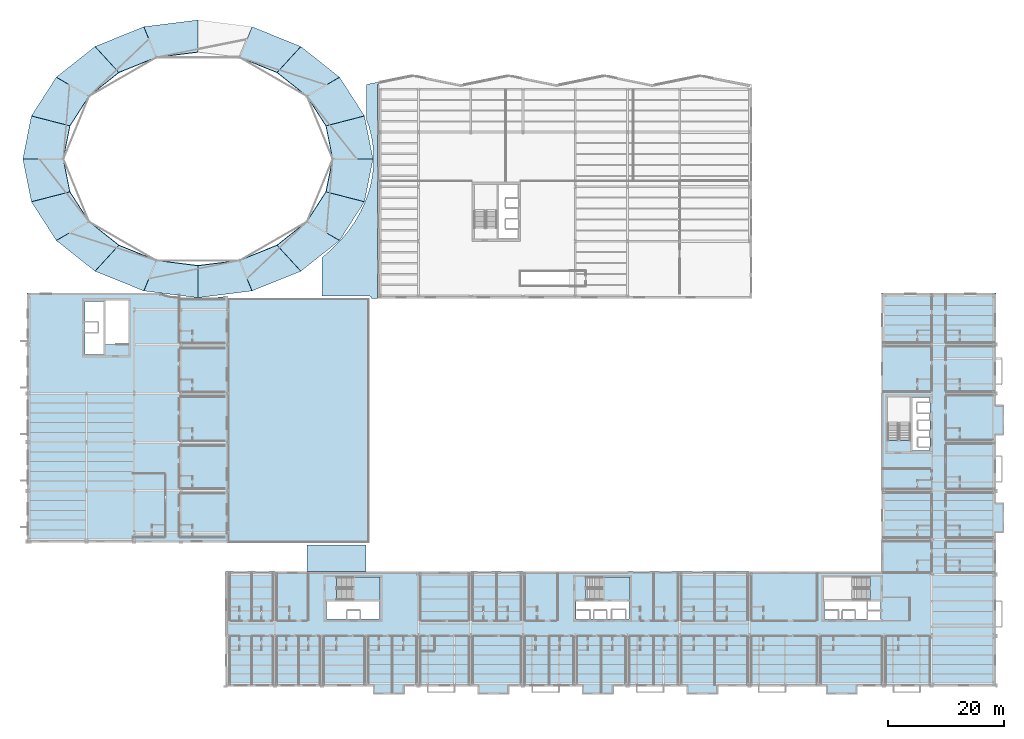
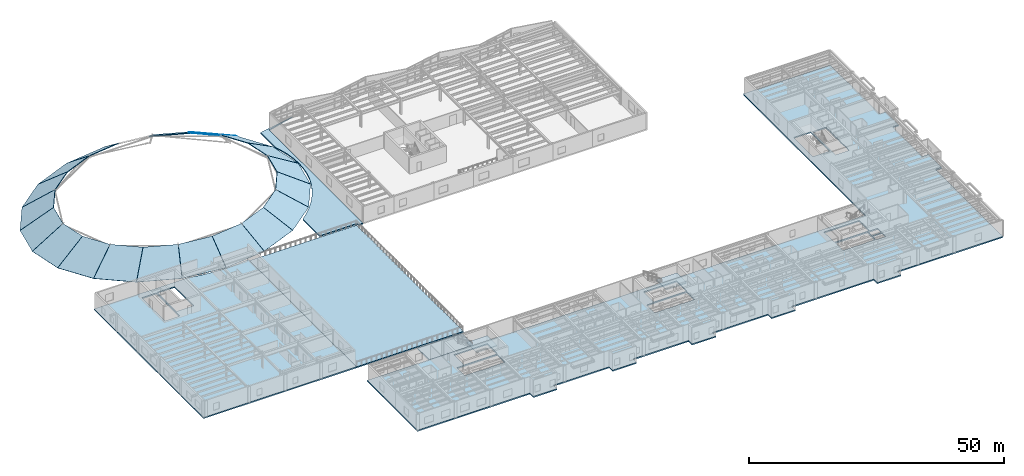
# One storey, part 26 of 59: 26 slabs, 2 elements without a shape of their own.
"""IFC4 building model written with IfcOpenShell, lengths in metres."""

from ifc_helpers import new_model, si_unit, direction, frame, origin, place, context, subcontext, project, spatial, polyline, outline, extrude, material, layer, layer_set, type_object, element, aggregate, save


model = new_model("IFC4")

# Units and contexts
model_context = context("Model", 3, precision=1e-05, world=origin(), true_north=direction((0.0, 1.0)))
body_context = subcontext(model_context, "Body", "Model", "MODEL_VIEW")
ifc_project = project(units=[si_unit("LENGTHUNIT", "METRE"), si_unit("AREAUNIT", "SQUARE_METRE"), si_unit("VOLUMEUNIT", "CUBIC_METRE"), si_unit("PLANEANGLEUNIT", "RADIAN"), si_unit("MASSUNIT", "GRAM", prefix="KILO")], contexts=[model_context])

# Site, building, storey
site_placement = place(None, origin())
site = spatial("IfcSite", under=ifc_project, at=site_placement, CompositionType="ELEMENT")
building_placement = place(site_placement, origin())
building = spatial("IfcBuilding", under=site, at=building_placement, Name="Sollismere Congress Hotel", CompositionType="ELEMENT")
storey_placement = place(building_placement, frame((0.0, 0.0, 15.60009765625)))
storey = spatial("IfcBuildingStorey", under=building, at=storey_placement, Name="L03", CompositionType="ELEMENT", Elevation=15.60009765625)

# Slabs
ifc_material_1 = material(Name="Standing-Seam Zinc on Precast Concrete C40/50", Category="concrete")
ifc_layer_1 = layer(ifc_material_1, 0.139892578125, Name="Standing-Seam Zinc on Precast Concrete C40/50")
ifc_layer_set_1 = layer_set([ifc_layer_1], Name="Standing-Seam Zinc on Precast Concrete C40/50")
slab_type_1 = type_object("IfcSlabType", Name="SL-DOME140", PredefinedType="ROOF", material=ifc_layer_set_1)
slab_1_placement = place(storey_placement, frame((59.08740234375, 90.395263671875, -0.11865234375), z_axis=(0.51833282267, 0.103513283383, 0.848891091428), x_axis=(-0.195840222577, 0.980635817833, 1.863671e-06)))
element("IfcSlab", 1, at=slab_1_placement, inside=storey, type_object=slab_type_1, Name="Congress shell dome standing-seam panel SL-DM-101", PredefinedType="ROOF", context=body_context, shape_type="SweptSolid", body=[
    extrude(outline(polyline([(0.0, 0.0), (7.518310546875, 0.0), (7.144287109375, 8.04052734375), (1.36083984375, 8.04052734375), (0.0, 0.0)])), origin(), (0.0, 0.0, 1.0), 0.139892578125),
])
slab_2_placement = place(storey_placement, frame((57.61572265625, 97.75927734375, -0.116943359375), z_axis=(0.460839887475, 0.296065725219, 0.836643104593), x_axis=(-0.54051626881, 0.841333562357, 1.703482e-06)))
element("IfcSlab", 2, at=slab_2_placement, inside=storey, type_object=slab_type_1, Name="Congress shell dome standing-seam panel SL-DM-102", PredefinedType="ROOF", context=body_context, shape_type="SweptSolid", body=[
    extrude(outline(polyline([(0.0, 0.0), (7.90576171875, 0.0), (8.2216796875, 7.759033203125), (2.140625, 7.759033203125), (0.0, 0.0)])), origin(), (0.0, 0.0, 1.0), 0.139892578125),
])
slab_3_placement = place(storey_placement, frame((53.3427734375, 104.404541015625, -0.114501953125), z_axis=(0.357528310259, 0.450798596991, 0.817896162305), x_axis=(-0.783496193859, 0.621396583671, -3.225115e-06)))
element("IfcSlab", 3, at=slab_3_placement, inside=storey, type_object=slab_type_1, Name="Congress shell dome standing-seam panel SL-DM-103", PredefinedType="ROOF", context=body_context, shape_type="SweptSolid", body=[
    extrude(outline(polyline([(0.0, 0.0), (8.49462890625, 0.0), (8.927490234375, 7.38671875), (2.39306640625, 7.386474609375), (0.0, 0.0)])), origin(), (0.0, 0.0, 1.0), 0.139892578125),
])
slab_4_placement = place(storey_placement, frame((46.686279296875, 109.679443359375, -0.112060546875), z_axis=(0.224626534858, 0.555863554275, 0.800349066887), x_axis=(-0.92715867259, 0.374668914965, -4.43384e-07)))
element("IfcSlab", 4, at=slab_4_placement, inside=storey, type_object=slab_type_1, Name="Congress shell dome standing-seam panel SL-DM-104", PredefinedType="ROOF", context=body_context, shape_type="SweptSolid", body=[
    extrude(outline(polyline([(0.0, 0.0), (9.045166015625, 0.0), (9.0751953125, 7.0888671875), (2.1171875, 7.0888671875), (0.0, 0.0)])), origin(), (0.0, 0.0, 1.0), 0.139892578125),
])
slab_5_placement = place(storey_placement, frame((28.998779296875, 114.23486328125, -0.110595703125), z_axis=(-0.076407121461, 0.60824149508, 0.790065969052), x_axis=(-0.992202965919, -0.124632557493, -5.92283e-06)))
element("IfcSlab", 5, at=slab_5_placement, inside=storey, type_object=slab_type_1, Name="Congress shell dome standing-seam panel SL-DM-106", PredefinedType="ROOF", context=body_context, shape_type="SweptSolid", body=[
    extrude(outline(polyline([(0.0, 0.0), (9.36962890625, 0.0), (7.892578125, 6.932861328125), (0.685302734375, 6.932861328125), (0.0, 0.0)])), origin(), (0.0, 0.0, 1.0), 0.139892578125),
])
slab_6_placement = place(storey_placement, frame((19.699951171875, 113.068359375, -0.112060546875), z_axis=(-0.224626534858, 0.555863554275, 0.800349066887), x_axis=(-0.92715867259, -0.374668914965, 4.43384e-07)))
element("IfcSlab", 6, at=slab_6_placement, inside=storey, type_object=slab_type_1, Name="Congress shell dome standing-seam panel SL-DM-107", PredefinedType="ROOF", context=body_context, shape_type="SweptSolid", body=[
    extrude(outline(polyline([(0.0, 0.0), (9.045166015625, 0.0), (6.927978515625, 7.0888671875), (-0.030029296875, 7.0888671875), (0.0, 0.0)])), origin(), (0.0, 0.0, 1.0), 0.139892578125),
])
slab_7_placement = place(storey_placement, frame((11.312744140625, 109.68310546875, -0.114501953125), z_axis=(-0.357528310259, 0.450798596991, 0.817896162305), x_axis=(-0.783496193859, -0.621396583671, 3.225115e-06)))
element("IfcSlab", 7, at=slab_7_placement, inside=storey, type_object=slab_type_1, Name="Congress shell dome standing-seam panel SL-DM-108", PredefinedType="ROOF", context=body_context, shape_type="SweptSolid", body=[
    extrude(outline(polyline([(0.0, 0.0), (8.49462890625, 0.0), (6.1015625, 7.386474609375), (-0.432861328125, 7.38671875), (0.0, 0.0)])), origin(), (0.0, 0.0, 1.0), 0.139892578125),
])
slab_8_placement = place(storey_placement, frame((4.657470703125, 104.41064453125, -0.116943359375), z_axis=(-0.460839887475, 0.296065725219, 0.836643104593), x_axis=(-0.54051626881, -0.841333562357, -1.703482e-06)))
element("IfcSlab", 8, at=slab_8_placement, inside=storey, type_object=slab_type_1, Name="Congress shell dome standing-seam panel SL-DM-109", PredefinedType="ROOF", context=body_context, shape_type="SweptSolid", body=[
    extrude(outline(polyline([(0.0, 0.0), (7.90576171875, 0.0), (5.76513671875, 7.759033203125), (-0.31591796875, 7.759033203125), (0.0, 0.0)])), origin(), (0.0, 0.0, 1.0), 0.139892578125),
])
slab_9_placement = place(storey_placement, frame((0.385009765625, 97.76806640625, -0.11865234375), z_axis=(-0.51833282267, 0.103513283383, 0.848891091428), x_axis=(-0.195840222577, -0.980635817833, -1.863671e-06)))
element("IfcSlab", 9, at=slab_9_placement, inside=storey, type_object=slab_type_1, Name="Congress shell dome standing-seam panel SL-DM-110", PredefinedType="ROOF", context=body_context, shape_type="SweptSolid", body=[
    extrude(outline(polyline([(0.0, 0.0), (7.518310546875, 0.0), (6.157470703125, 8.04052734375), (0.3740234375, 8.04052734375), (0.0, 0.0)])), origin(), (0.0, 0.0, 1.0), 0.139892578125),
])
slab_10_placement = place(storey_placement, frame((-1.08740234375, 90.40478515625, -0.11865234375), z_axis=(-0.518331789505, -0.103511139697, 0.848891983675), x_axis=(0.195834743985, -0.980636911934, 6.23063e-07)))
element("IfcSlab", 10, at=slab_10_placement, inside=storey, type_object=slab_type_1, Name="Congress shell dome standing-seam panel SL-DM-111", PredefinedType="ROOF", context=body_context, shape_type="SweptSolid", body=[
    extrude(outline(polyline([(0.0, 0.0), (7.5185546875, 0.0), (7.144287109375, 8.04052734375), (1.36083984375, 8.04052734375), (0.0, 0.0)])), origin(), (0.0, 0.0, 1.0), 0.139892578125),
])
slab_11_placement = place(storey_placement, frame((0.38427734375, 83.040771484375, -0.116943359375), z_axis=(-0.460839887475, -0.296065725219, 0.836643104593), x_axis=(0.54051626881, -0.841333562357, 1.703482e-06)))
element("IfcSlab", 11, at=slab_11_placement, inside=storey, type_object=slab_type_1, Name="Congress shell dome standing-seam panel SL-DM-112", PredefinedType="ROOF", context=body_context, shape_type="SweptSolid", body=[
    extrude(outline(polyline([(0.0, 0.0), (7.90576171875, 0.0), (8.2216796875, 7.759033203125), (2.140625, 7.759033203125), (0.0, 0.0)])), origin(), (0.0, 0.0, 1.0), 0.139892578125),
])
slab_12_placement = place(storey_placement, frame((4.6572265625, 76.3955078125, -0.114501953125), z_axis=(-0.357537122189, -0.450797922785, 0.817892681878), x_axis=(0.783493575629, -0.621399884889, 2.764369e-06)))
element("IfcSlab", 12, at=slab_12_placement, inside=storey, type_object=slab_type_1, Name="Congress shell dome standing-seam panel SL-DM-113", PredefinedType="ROOF", context=body_context, shape_type="SweptSolid", body=[
    extrude(outline(polyline([(0.0, 0.0), (8.49462890625, 0.0), (8.927490234375, 7.386474609375), (2.39306640625, 7.386474609375), (0.0, 0.0)])), origin(), (0.0, 0.0, 1.0), 0.139892578125),
])
slab_13_placement = place(storey_placement, frame((11.313720703125, 71.12060546875, -0.112060546875), z_axis=(-0.224626534858, -0.555863554275, 0.800349066887), x_axis=(0.92715867259, -0.374668914965, -4.43384e-07)))
element("IfcSlab", 13, at=slab_13_placement, inside=storey, type_object=slab_type_1, Name="Congress shell dome standing-seam panel SL-DM-114", PredefinedType="ROOF", context=body_context, shape_type="SweptSolid", body=[
    extrude(outline(polyline([(0.0, 0.0), (9.045166015625, 0.0), (9.0751953125, 7.0888671875), (2.1171875, 7.0888671875), (0.0, 0.0)])), origin(), (0.0, 0.0, 1.0), 0.139892578125),
])
slab_14_placement = place(storey_placement, frame((19.7021484375, 67.73291015625, -0.110595703125), z_axis=(-0.07639933819, -0.608251407927, 0.790059090118), x_axis=(0.992203650336, -0.124627108843, -1.154577e-06)))
element("IfcSlab", 14, at=slab_14_placement, inside=storey, type_object=slab_type_1, Name="Congress shell dome standing-seam panel SL-DM-115", PredefinedType="ROOF", context=body_context, shape_type="SweptSolid", body=[
    extrude(outline(polyline([(0.0, 0.0), (9.36962890625, 0.0), (8.684326171875, 6.932861328125), (1.47705078125, 6.932861328125), (0.0, 0.0)])), origin(), (0.0, 0.0, 1.0), 0.139892578125),
])
slab_15_placement = place(storey_placement, frame((29.001220703125, 66.565185546875, -0.110595703125), z_axis=(0.07639933819, -0.608251407927, 0.790059090118), x_axis=(0.992203650336, 0.124627108843, 1.154577e-06)))
element("IfcSlab", 15, at=slab_15_placement, inside=storey, type_object=slab_type_1, Name="Congress shell dome standing-seam panel SL-DM-116", PredefinedType="ROOF", context=body_context, shape_type="SweptSolid", body=[
    extrude(outline(polyline([(0.0, 0.0), (9.36962890625, 0.0), (7.892578125, 6.932861328125), (0.685302734375, 6.932861328125), (0.0, 0.0)])), origin(), (0.0, 0.0, 1.0), 0.139892578125),
])
slab_16_placement = place(storey_placement, frame((38.300048828125, 67.731689453125, -0.112060546875), z_axis=(0.224626534858, -0.555863554275, 0.800349066887), x_axis=(0.92715867259, 0.374668914965, 4.43384e-07)))
element("IfcSlab", 16, at=slab_16_placement, inside=storey, type_object=slab_type_1, Name="Congress shell dome standing-seam panel SL-DM-117", PredefinedType="ROOF", context=body_context, shape_type="SweptSolid", body=[
    extrude(outline(polyline([(0.0, 0.0), (9.045166015625, 0.0), (6.927978515625, 7.0888671875), (-0.030029296875, 7.0888671875), (0.0, 0.0)])), origin(), (0.0, 0.0, 1.0), 0.139892578125),
])
slab_17_placement = place(storey_placement, frame((46.687255859375, 71.116943359375, -0.114501953125), z_axis=(0.357537122189, -0.450797922785, 0.817892681878), x_axis=(0.783493575629, 0.621399884889, -2.764369e-06)))
element("IfcSlab", 17, at=slab_17_placement, inside=storey, type_object=slab_type_1, Name="Congress shell dome standing-seam panel SL-DM-118", PredefinedType="ROOF", context=body_context, shape_type="SweptSolid", body=[
    extrude(outline(polyline([(0.0, 0.0), (8.49462890625, 0.0), (6.1015625, 7.386474609375), (-0.432861328125, 7.386474609375), (0.0, 0.0)])), origin(), (0.0, 0.0, 1.0), 0.139892578125),
])
slab_18_placement = place(storey_placement, frame((53.342529296875, 76.389404296875, -0.116943359375), z_axis=(0.460839887475, -0.296065725219, 0.836643104593), x_axis=(0.54051626881, 0.841333562357, -1.703482e-06)))
element("IfcSlab", 18, at=slab_18_placement, inside=storey, type_object=slab_type_1, Name="Congress shell dome standing-seam panel SL-DM-119", PredefinedType="ROOF", context=body_context, shape_type="SweptSolid", body=[
    extrude(outline(polyline([(0.0, 0.0), (7.90576171875, 0.0), (5.76513671875, 7.759033203125), (-0.31591796875, 7.759033203125), (0.0, 0.0)])), origin(), (0.0, 0.0, 1.0), 0.139892578125),
])
slab_19_placement = place(storey_placement, frame((57.614990234375, 83.03173828125, -0.11865234375), z_axis=(0.518331789505, -0.103511139697, 0.848891983675), x_axis=(0.195834743985, 0.980636911934, -6.23063e-07)))
element("IfcSlab", 19, at=slab_19_placement, inside=storey, type_object=slab_type_1, Name="Congress shell dome standing-seam panel SL-DM-120", PredefinedType="ROOF", context=body_context, shape_type="SweptSolid", body=[
    extrude(outline(polyline([(0.0, 0.0), (7.5185546875, 0.0), (6.15771484375, 8.04052734375), (0.37451171875, 8.04052734375), (0.0, 0.0)])), origin(), (0.0, 0.0, 1.0), 0.139892578125),
])
ifc_material_2 = material(Name="Concrete C40/50", Category="concrete")
ifc_layer_2 = layer(ifc_material_2, 0.300048828125, Name="Concrete C40/50")
ifc_layer_set_2 = layer_set([ifc_layer_2], Name="Concrete C40/50")
slab_type_2 = type_object("IfcSlabType", Name="SL-FLR300", PredefinedType="FLOOR", material=ifc_layer_set_2)
slab_20_placement = place(storey_placement, frame((0.0, 0.0, -0.300048828125)))
element("IfcSlab", 20, at=slab_20_placement, inside=storey, type_object=slab_type_2, Name="Slab SL-L03-V3", PredefinedType="FLOOR", context=body_context, shape_type="SweptSolid", body=[
    extrude(outline(polyline([(-0.47998046875, 67.280029296875), (-0.47998046875, 24.320068359375), (34.199951171875, 24.320068359375), (34.199951171875, 66.7568359375), (33.736083984375, 66.68359375), (31.37548828125, 66.4619140625), (29.0, 66.387939453125), (26.62451171875, 66.4619140625), (24.263916015625, 66.68359375), (21.93212890625, 67.051513671875), (20.910400390625, 67.280029296875), (-0.47998046875, 67.280029296875)]), holes=[polyline([(9.5400390625, 56.739990234375), (9.5400390625, 60.554931640625), (9.4599609375, 60.554931640625), (9.4599609375, 62.2451171875), (9.5400390625, 62.2451171875), (9.5400390625, 65.860107421875), (12.830078125, 65.860107421875), (12.830078125, 56.739990234375), (9.5400390625, 56.739990234375)]), polyline([(13.10009765625, 66.0), (17.0, 66.0), (17.0, 58.45068359375), (13.10009765625, 58.45068359375), (13.10009765625, 66.0)])]), origin(), (0.0, 0.0, 1.0), 0.300048828125),
])
slab_21_placement = place(storey_placement, frame((0.0, 0.0, -0.300048828125)))
element("IfcSlab", 21, at=slab_21_placement, inside=storey, type_object=slab_type_2, Name="Slab SL-L03-V5", PredefinedType="FLOOR", context=body_context, shape_type="SweptSolid", body=[
    extrude(outline(polyline([(64.60009765625, -1.85009765625), (64.60009765625, -0.47998046875), (77.199951171875, -0.47998046875), (77.199951171875, -1.85009765625), (82.60009765625, -1.85009765625), (82.60009765625, -0.47998046875), (95.199951171875, -0.47998046875), (95.199951171875, -1.85009765625), (100.60009765625, -1.85009765625), (100.60009765625, -0.47998046875), (113.199951171875, -0.47998046875), (113.199951171875, -1.85009765625), (118.60009765625, -1.85009765625), (118.60009765625, -0.47998046875), (137.199951171875, -0.47998046875), (137.199951171875, -1.85009765625), (142.60009765625, -1.85009765625), (142.60009765625, -0.47998046875), (166.47998046875, -0.47998046875), (166.47998046875, 19.280029296875), (166.47998046875, 26.0), (167.85009765625, 26.0), (167.85009765625, 31.199951171875), (166.47998046875, 31.199951171875), (166.47998046875, 42.800048828125), (167.85009765625, 42.800048828125), (167.85009765625, 48.0), (166.47998046875, 48.0), (166.47998046875, 67.280029296875), (146.719970703125, 67.280029296875), (146.719970703125, 19.280029296875), (33.719970703125, 19.280029296875), (33.719970703125, -0.47998046875), (59.199951171875, -0.47998046875), (59.199951171875, -1.85009765625), (64.60009765625, -1.85009765625)]), holes=[polyline([(54.7548828125, 11.050048828125), (54.7548828125, 11.139892578125), (51.139892578125, 11.139892578125), (51.139892578125, 14.179931640625), (60.260009765625, 14.179931640625), (60.260009765625, 11.139892578125), (56.844970703125, 11.139892578125), (56.844970703125, 11.050048828125), (54.7548828125, 11.050048828125)]), polyline([(94.35498046875, 11.050048828125), (94.35498046875, 11.139892578125), (94.139892578125, 11.139892578125), (94.139892578125, 14.179931640625), (103.260009765625, 14.179931640625), (103.260009765625, 11.139892578125), (102.570068359375, 11.139892578125), (102.570068359375, 11.054931640625), (100.330078125, 11.054931640625), (100.330078125, 11.139892578125), (99.344970703125, 11.139892578125), (99.344970703125, 11.050048828125), (97.2548828125, 11.050048828125), (97.2548828125, 11.139892578125), (96.445068359375, 11.139892578125), (96.445068359375, 11.050048828125), (94.35498046875, 11.050048828125)]), polyline([(137.155029296875, 11.050048828125), (137.155029296875, 11.139892578125), (136.93994140625, 11.139892578125), (136.93994140625, 14.179931640625), (144.22705078125, 14.179931640625), (144.22705078125, 11.139892578125), (142.14501953125, 11.139892578125), (142.14501953125, 11.050048828125), (140.054931640625, 11.050048828125), (140.054931640625, 11.139892578125), (139.2451171875, 11.139892578125), (139.2451171875, 11.050048828125), (137.155029296875, 11.050048828125)]), polyline([(52.8505859375, 18.35009765625), (60.39990234375, 18.35009765625), (60.39990234375, 14.449951171875), (52.8505859375, 14.449951171875), (52.8505859375, 18.35009765625)]), polyline([(95.8505859375, 14.449951171875), (95.8505859375, 18.35009765625), (103.39990234375, 18.35009765625), (103.39990234375, 14.449951171875), (95.8505859375, 14.449951171875)]), polyline([(146.550048828125, 11.0048828125), (144.409912109375, 11.0048828125), (144.409912109375, 12.4951171875), (146.550048828125, 12.4951171875), (146.550048828125, 11.0048828125)]), polyline([(144.409912109375, 12.705078125), (144.409912109375, 14.195068359375), (146.550048828125, 14.195068359375), (146.550048828125, 12.705078125), (144.409912109375, 12.705078125)]), polyline([(144.749267578125, 14.449951171875), (136.800048828125, 14.449951171875), (136.800048828125, 18.35009765625), (144.749267578125, 18.35009765625), (144.749267578125, 14.449951171875)]), polyline([(155.06005859375, 40.830078125), (155.06005859375, 40.139892578125), (151.969970703125, 40.139892578125), (151.969970703125, 49.260009765625), (155.06005859375, 49.260009765625), (155.06005859375, 48.39501953125), (155.139892578125, 48.39501953125), (155.139892578125, 46.705078125), (155.06005859375, 46.705078125), (155.06005859375, 45.27001953125), (155.14501953125, 45.27001953125), (155.14501953125, 43.72998046875), (155.06005859375, 43.72998046875), (155.06005859375, 42.3701171875), (155.14501953125, 42.3701171875), (155.14501953125, 40.830078125), (155.06005859375, 40.830078125)]), polyline([(147.800048828125, 41.8505859375), (147.800048828125, 49.39990234375), (151.699951171875, 49.39990234375), (151.699951171875, 41.8505859375), (147.800048828125, 41.8505859375)])]), origin(), (0.0, 0.0, 1.0), 0.300048828125),
])

# Stair, slab
stair_type = type_object("IfcStairType", Name="STR-DL-390", PredefinedType="HALF_TURN_STAIR", material=ifc_material_2)
stair_1_placement = place(storey_placement, origin())
stair_1 = element("IfcStair", 22, at=stair_1_placement, inside=storey, type_object=stair_type, Name="Protected exit stair ST-02-L03", PredefinedType="HALF_TURN_STAIR")
ifc_layer_3 = layer(ifc_material_2, 0.199951171875, Name="Concrete C40/50")
ifc_layer_set_3 = layer_set([ifc_layer_3], Name="Concrete C40/50")
slab_type_3 = type_object("IfcSlabType", Name="SL-LND200", PredefinedType="LANDING", material=ifc_layer_set_3)
slab_22_placement = place(storey_placement, frame((0.0, 0.0, 1.75)))
slab_22 = element("IfcSlab", 23, at=slab_22_placement, type_object=slab_type_3, Name="Exit stair half-landing ST-02-L03-L1", PredefinedType="LANDING", context=body_context, shape_type="SweptSolid", body=[
    extrude(outline(polyline([(98.75, 14.449951171875), (103.39990234375, 14.449951171875), (103.39990234375, 18.35009765625), (98.75, 18.35009765625), (98.75, 14.449951171875)])), origin(), (0.0, 0.0, 1.0), 0.199951171875),
])
aggregate(stair_1, [slab_22])

stair_2_placement = place(storey_placement, origin())
stair_2 = element("IfcStair", 24, at=stair_2_placement, inside=storey, type_object=stair_type, Name="Protected exit stair ST-06-L03", PredefinedType="HALF_TURN_STAIR")
slab_23_placement = place(storey_placement, frame((0.0, 0.0, 1.75)))
slab_23 = element("IfcSlab", 25, at=slab_23_placement, type_object=slab_type_3, Name="Exit stair half-landing ST-06-L03-L1", PredefinedType="LANDING", context=body_context, shape_type="SweptSolid", body=[
    extrude(outline(polyline([(55.75, 14.449951171875), (60.39990234375, 14.449951171875), (60.39990234375, 18.35009765625), (55.75, 18.35009765625), (55.75, 14.449951171875)])), origin(), (0.0, 0.0, 1.0), 0.199951171875),
])
aggregate(stair_2, [slab_23])

# Slabs
ifc_layer_4 = layer(ifc_material_2, 0.27490234375, Name="Concrete C40/50")
ifc_layer_set_4 = layer_set([ifc_layer_4], Name="Concrete C40/50")
slab_type_4 = type_object("IfcSlabType", Name="SL-ROOF275", PredefinedType="ROOF", material=ifc_layer_set_4)
slab_24_placement = place(storey_placement, frame((0.0, 0.0, -0.275146484375)))
element("IfcSlab", 26, at=slab_24_placement, inside=storey, type_object=slab_type_4, Name="Slab SL-L03-RF2W", PredefinedType="ROOF", context=body_context, shape_type="SweptSolid", body=[
    extrude(outline(polyline([(58.0, 66.800048828125), (58.524169921875, 66.767822265625), (58.72998046875, 66.694091796875), (58.876953125, 66.531982421875), (58.929931640625, 66.320068359375), (59.919921875, 66.320068359375), (59.919921875, 66.85009765625), (59.919921875, 103.199951171875), (66.25, 104.87841796875), (58.0, 103.199951171875), (58.0, 97.2412109375), (58.439453125, 96.005615234375), (58.9033203125, 94.15625), (59.1826171875, 92.283935546875), (59.27587890625, 90.39990234375), (59.1826171875, 88.51611328125), (58.9033203125, 86.643798828125), (58.439453125, 84.79443359375), (57.794189453125, 82.97998046875), (56.971435546875, 81.2109375), (55.97607421875, 79.498779296875), (54.814453125, 77.853759765625), (53.493896484375, 76.2861328125), (52.022216796875, 74.805419921875), (50.39990234375, 73.414794921875), (50.39990234375, 66.800048828125), (58.0, 66.800048828125)])), origin(), (0.0, 0.0, 1.0), 0.275146484375),
])
slab_25_placement = place(storey_placement, frame((0.0, 0.0, -0.275146484375)))
element("IfcSlab", 27, at=slab_25_placement, inside=storey, type_object=slab_type_4, Name="Slab SL-L03-GLK", PredefinedType="ROOF", context=body_context, shape_type="SweptSolid", body=[
    extrude(outline(polyline([(57.919921875, 19.280029296875), (57.919921875, 23.919921875), (47.800048828125, 23.919921875), (47.800048828125, 19.280029296875), (57.919921875, 19.280029296875)])), origin(), (0.0, 0.0, 1.0), 0.275146484375),
])
ifc_layer_5 = layer(ifc_material_2, 0.284912109375, Name="Concrete C40/50")
ifc_layer_set_5 = layer_set([ifc_layer_5], Name="Concrete C40/50")
slab_type_5 = type_object("IfcSlabType", Name="SL-TER285", PredefinedType="FLOOR", material=ifc_layer_set_5)
slab_26_placement = place(storey_placement, frame((0.0, 0.0, -0.28515625)))
element("IfcSlab", 28, at=slab_26_placement, inside=storey, type_object=slab_type_5, Name="Slab SL-L03-TER", PredefinedType="FLOOR", context=body_context, shape_type="SweptSolid", body=[
    extrude(outline(polyline([(58.47998046875, 24.320068359375), (58.47998046875, 66.320068359375), (34.199951171875, 66.320068359375), (34.199951171875, 24.320068359375), (58.47998046875, 24.320068359375)])), origin(), (0.0, 0.0, 1.0), 0.28515625),
])

save(model, "model.ifc")
